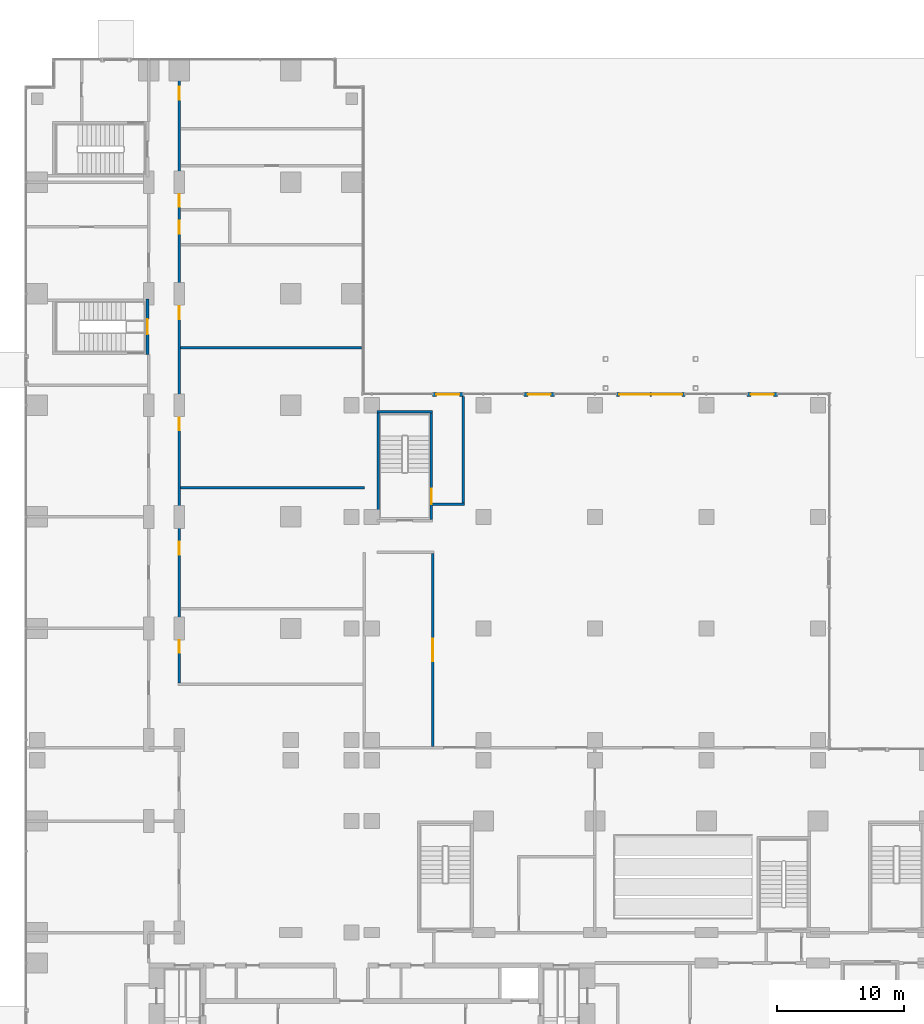
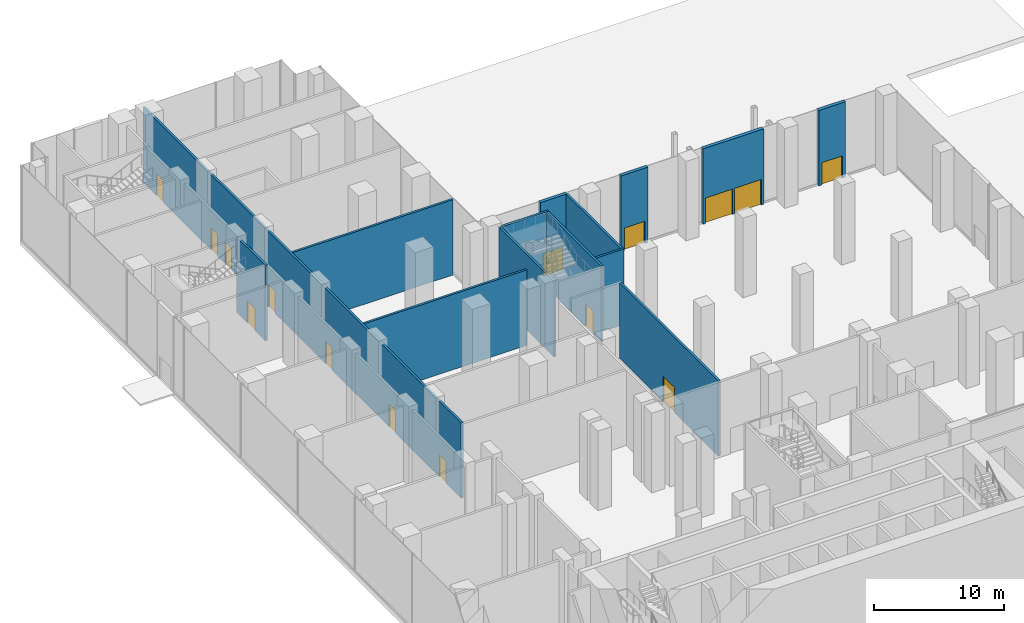
# One storey, part 27 of 41: 15 doors, 14 walls, 15 openings.
"""IFC4 building model written with IfcOpenShell, lengths in metres."""

import ifcopenshell
import ifcopenshell.guid

model = None  # the IFC model being written
_history = None  # IfcOwnerHistory: only IFC2X3 demands one
_inside = {}  # id of a spatial element -> (the spatial element, [elements in it])
_under = {}  # id of a project, library or spatial element -> (it, [spatial elements below it])
_declared = {}  # id of a project -> (the project, [libraries it declares])
_typed = {}  # id of a type object -> (the type object, [elements of that type])
_made_of = {}  # id of a material, layer set ... -> (it, [elements and type objects made of it])


def new_model(schema):
    """Start an empty IFC model of exactly this schema.

    Asked for "IFC4X3", IfcOpenShell would pick the latest addendum, in which some entities
    have other attributes; the version numbers below select the first issue.
    IFC2X3 requires an IfcOwnerHistory on every rooted entity: one is made here for all.
    """
    global model, _history
    if schema == "IFC4X3":
        model = ifcopenshell.file(schema_version=(4, 3, 0, 0))
    else:
        model = ifcopenshell.file(schema=schema)
    _inside.clear()
    _under.clear()
    _declared.clear()
    _typed.clear()
    _made_of.clear()
    _history = None
    if model.schema == "IFC2X3":
        org = make("IfcOrganization", Name="unknown")
        user = make(
            "IfcPersonAndOrganization",
            ThePerson=make("IfcPerson", FamilyName="unknown"),
            TheOrganization=org,
        )
        app = make(
            "IfcApplication",
            ApplicationDeveloper=org,
            Version="unknown",
            ApplicationFullName="unknown",
            ApplicationIdentifier="unknown",
        )
        _history = make(
            "IfcOwnerHistory",
            OwningUser=user,
            OwningApplication=app,
            ChangeAction="ADDED",
            CreationDate=0,
        )
    return model


def make(cls, **values):
    """One entity of the class cls with the attributes given. An attribute that is None is left unset."""
    return model.create_entity(
        cls, **{name: value for name, value in values.items() if value is not None}
    )


def rooted(cls, **values):
    """An entity with a GlobalId (a new one), such as an element, a storey or a relation."""
    return make(cls, GlobalId=ifcopenshell.guid.new(), OwnerHistory=_history, **values)


def si_unit(unit_type, name, prefix=None):
    """IfcSIUnit, for example si_unit("LENGTHUNIT", "METRE", prefix="MILLI")."""
    return make("IfcSIUnit", UnitType=unit_type, Prefix=prefix, Name=name)


def assignment(units):
    """IfcUnitAssignment: the units of a project."""
    return None if units is None else make("IfcUnitAssignment", Units=units)


def point(xyz):
    """IfcCartesianPoint."""
    return None if xyz is None else make("IfcCartesianPoint", Coordinates=xyz)


def direction(xyz):
    """IfcDirection."""
    return None if xyz is None else make("IfcDirection", DirectionRatios=xyz)


def frame(location, z_axis=None, x_axis=None):
    """IfcAxis2Placement3D, a coordinate frame: its origin and axes. An axis left out is left unset."""
    return make(
        "IfcAxis2Placement3D",
        Location=point(location),
        Axis=direction(z_axis),
        RefDirection=direction(x_axis),
    )


def frame_2d(location, x_axis=None):
    """IfcAxis2Placement2D, a coordinate frame in the plane: its origin and x axis."""
    return make(
        "IfcAxis2Placement2D", Location=point(location), RefDirection=direction(x_axis)
    )


def origin():
    """The frame at (0, 0, 0) with its axes left unset."""
    return frame((0.0, 0.0, 0.0))


def place(relative_to, where):
    """IfcLocalPlacement: puts the frame where relative to a parent placement (None: the world)."""
    return make(
        "IfcLocalPlacement", PlacementRelTo=relative_to, RelativePlacement=where
    )


def context(
    kind, dimensions, precision=None, world=None, true_north=None, identifier=None
):
    """IfcGeometricRepresentationContext, for example the 3D "Model" context."""
    return make(
        "IfcGeometricRepresentationContext",
        ContextIdentifier=identifier,
        ContextType=kind,
        CoordinateSpaceDimension=dimensions,
        Precision=precision,
        WorldCoordinateSystem=world,
        TrueNorth=true_north,
    )


def subcontext(parent, identifier, kind, view, scale=None):
    """IfcGeometricRepresentationSubContext, for example "Body" below "Model"."""
    return make(
        "IfcGeometricRepresentationSubContext",
        ContextIdentifier=identifier,
        ContextType=kind,
        ParentContext=parent,
        TargetScale=scale,
        TargetView=view,
    )


def project(units=None, contexts=None):
    """IfcProject with its units and contexts."""
    return rooted(
        "IfcProject",
        Name="project",
        RepresentationContexts=contexts,
        UnitsInContext=assignment(units),
    )


def spatial(cls, under=None, at=None, **own):
    """A site, building, storey or space (cls), placed at a placement, below another one or the project."""
    s = rooted(cls, ObjectPlacement=at, **own)
    if under is not None:
        _under.setdefault(under.id(), (under, []))[1].append(s)
    return s


def profile(cls, at=None, kind="AREA", **sizes):
    """A parametric profile (cls). Its sizes go by their IFC names, for example OverallWidth=200.0."""
    return make(cls, ProfileType=kind, Position=at, **sizes)


def rectangle(**sizes):
    """IfcRectangleProfileDef."""
    return profile("IfcRectangleProfileDef", **sizes)


def extrude(swept, where, along, depth):
    """IfcExtrudedAreaSolid: the profile swept, set in the frame where, extruded along a direction by depth."""
    return make(
        "IfcExtrudedAreaSolid",
        SweptArea=swept,
        Position=where,
        ExtrudedDirection=direction(along),
        Depth=depth,
    )


def shape(context_of_items, identifier, shape_type, items):
    """IfcShapeRepresentation: the items that make up one representation, for example the "Body"."""
    return make(
        "IfcShapeRepresentation",
        ContextOfItems=context_of_items,
        RepresentationIdentifier=identifier,
        RepresentationType=shape_type,
        Items=items,
    )


def material(Name=None, Category=None):
    """IfcMaterial."""
    return make("IfcMaterial", Name=Name, Category=Category)


def layer(
    of_material, thickness, ventilated=None, Name=None, Category=None, Priority=None
):
    """IfcMaterialLayer: one layer of a wall or slab, of a material (None: an air gap)."""
    return make(
        "IfcMaterialLayer",
        Material=of_material,
        LayerThickness=thickness,
        IsVentilated=ventilated,
        Name=Name,
        Category=Category,
        Priority=Priority,
    )


def layer_set(layers, Name=None):
    """IfcMaterialLayerSet."""
    return make("IfcMaterialLayerSet", MaterialLayers=layers, LayerSetName=Name)


def made_of(thing, what):
    """Note that an element or type object is made of a material, layer set ...; save() writes the relation."""
    if what is not None:
        _made_of.setdefault(what.id(), (what, []))[1].append(thing)
    return thing


def type_object(cls, material=None, **own):
    """A type object (cls), such as IfcWallType, which elements share."""
    return made_of(rooted(cls, **own), material)


def element(
    cls,
    number,
    at=None,
    inside=None,
    cuts=None,
    type_object=None,
    material=None,
    context=None,
    identifier="Body",
    shape_type=None,
    held_by="IfcProductDefinitionShape",
    body=None,
    shapes=None,
    **own,
):
    """One element of the class cls, such as IfcWall. Its Tag is "e" and its number.

    at: its placement. inside: the storey or other place that contains it. cuts: it is an
    opening in that element (IfcRelVoidsElement). A single representation is given by context,
    identifier, shape_type and body (its items); several are given by shapes. held_by: the class
    of the entity that holds the representations. save() writes the other relations.
    """
    e = rooted(cls, Tag="e%d" % number, ObjectPlacement=at, **own)
    if body is not None:
        shapes = [shape(context, identifier, shape_type, body)]
    if shapes is not None:
        e.Representation = make(held_by, Representations=shapes)
    if inside is not None:
        _inside.setdefault(inside.id(), (inside, []))[1].append(e)
    if cuts is not None:
        rooted(
            "IfcRelVoidsElement", RelatingBuildingElement=cuts, RelatedOpeningElement=e
        )
    if type_object is not None:
        _typed.setdefault(type_object.id(), (type_object, []))[1].append(e)
    return made_of(e, material)


def fill(opening, filler):
    """IfcRelFillsElement: the door or window that sits in an opening."""
    return rooted(
        "IfcRelFillsElement",
        RelatingOpeningElement=opening,
        RelatedBuildingElement=filler,
    )


def aggregate(whole, parts):
    """IfcRelAggregates: a whole, such as a stair, and the parts it consists of."""
    return rooted("IfcRelAggregates", RelatingObject=whole, RelatedObjects=parts)


def save(model, path):
    """Write the relations noted so far, then the file.

    IfcRelAggregates (storeys below a building ...), IfcRelContainedInSpatialStructure (elements
    in a storey), IfcRelDefinesByType, IfcRelAssociatesMaterial and IfcRelDeclares: one each for
    every whole, place, type object, material and project.
    """
    for whole, parts in _under.values():
        aggregate(whole, parts)
    for where, things in _inside.values():
        rooted(
            "IfcRelContainedInSpatialStructure",
            RelatedElements=things,
            RelatingStructure=where,
        )
    for kind, things in _typed.values():
        rooted("IfcRelDefinesByType", RelatedObjects=things, RelatingType=kind)
    for what, things in _made_of.values():
        rooted("IfcRelAssociatesMaterial", RelatedObjects=things, RelatingMaterial=what)
    for by, libraries in _declared.values():
        rooted("IfcRelDeclares", RelatingContext=by, RelatedDefinitions=libraries)
    model.write(path)


model = new_model("IFC4")

# Units and contexts
model_context = context("Model", 3, precision=1e-05, world=origin(), true_north=direction((0.0, 1.0)))
body_context = subcontext(model_context, "Body", "Model", "MODEL_VIEW")
ifc_project = project(units=[si_unit("LENGTHUNIT", "METRE"), si_unit("AREAUNIT", "SQUARE_METRE"), si_unit("VOLUMEUNIT", "CUBIC_METRE"), si_unit("PLANEANGLEUNIT", "RADIAN"), si_unit("MASSUNIT", "GRAM", prefix="KILO")], contexts=[model_context])

# Site, building, storey
site_placement = place(None, origin())
site = spatial("IfcSite", under=ifc_project, at=site_placement, CompositionType="ELEMENT")
building_placement = place(site_placement, origin())
building = spatial("IfcBuilding", under=site, at=building_placement, Name="Kemantara Hotel Tower", CompositionType="ELEMENT")
storey_placement = place(building_placement, origin())
storey = spatial("IfcBuildingStorey", under=building, at=storey_placement, Name="L00", CompositionType="ELEMENT", Elevation=0.0)

# Wall, openings, doors
ifc_material_1 = material(Name="Bronze-clad aluminium panel", Category="aluminium")
ifc_layer_1 = layer(ifc_material_1, 0.300048828125)
ifc_layer_set_1 = layer_set([ifc_layer_1], Name="Bronze-clad aluminium panel")
wall_type_1 = type_object("IfcWallType", Name="BRONZE-CLAD EXTERNAL WALL 300", PredefinedType="STANDARD", material=ifc_layer_set_1)
wall_1_placement = place(storey_placement, frame((46.699951171875, 54.64990234375, 0.0), z_axis=(0.0, 0.0, 1.0), x_axis=(1.0, 0.0, 0.0)))
wall_1 = element("IfcWall", 1, at=wall_1_placement, inside=storey, type_object=wall_type_1, Name="EXTERNAL WALL AT ENTRANCE", PredefinedType="STANDARD", context=body_context, shape_type="SweptSolid", body=[
    extrude(rectangle(XDim=5.400146484375, YDim=0.300048828125, at=frame_2d((2.7001953125, 0.0))), origin(), (0.0, 0.0, 1.0), 7.10009765625),
])
opening_1_placement = place(wall_1_placement, frame((0.22509765625, 0.0, 0.0)))
opening_1 = element("IfcOpeningElement", 2, at=opening_1_placement, cuts=wall_1, Name="Opening L00-B031", PredefinedType="OPENING", context=body_context, shape_type="SweptSolid", body=[
    extrude(rectangle(XDim=2.39990234375, YDim=2.39990234375, at=frame_2d((1.199951171875, 1.199951171875))), frame((0.0, 0.159912109375, 0.0), z_axis=(0.0, -1.0, 0.0), x_axis=(1.0, 0.0, 0.0)), (0.0, 0.0, 1.0), 0.320068359375),
])
opening_2_placement = place(wall_1_placement, frame((2.77490234375, 0.0, 0.0)))
opening_2 = element("IfcOpeningElement", 3, at=opening_2_placement, cuts=wall_1, Name="Opening L00-B032", PredefinedType="OPENING", context=body_context, shape_type="SweptSolid", body=[
    extrude(rectangle(XDim=2.39990234375, YDim=2.39990234375, at=frame_2d((1.199951171875, 1.199951171875))), frame((0.0, 0.159912109375, 0.0), z_axis=(0.0, -1.0, 0.0), x_axis=(1.0, 0.0, 0.0)), (0.0, 0.0, 1.0), 0.320068359375),
])
ifc_material_2 = material(Name="Toughened glass door leaf", Category="glass")
door_type_1 = type_object("IfcDoorType", Name="AUTOMATIC SLIDING GLASS DOOR 2400 X 2400", OperationType="DOUBLE_DOOR_SLIDING", PredefinedType="DOOR", material=ifc_material_2)
door_1_placement = place(opening_1_placement, origin())
door_1 = element("IfcDoor", 4, at=door_1_placement, inside=storey, type_object=door_type_1, Name="ENTRANCE DOOR", OperationType="DOUBLE_DOOR_SLIDING", OverallHeight=2.39990234375, OverallWidth=2.39990234375, PredefinedType="DOOR", context=body_context, shape_type="SweptSolid", body=[
    extrude(rectangle(XDim=2.39990234375, YDim=2.39990234375, at=frame_2d((1.199951171875, 1.199951171875))), frame((0.0, 0.02490234375, 0.0), z_axis=(0.0, -1.0, 0.0), x_axis=(1.0, 0.0, 0.0)), (0.0, 0.0, 1.0), 0.050048828125),
])
fill(opening_1, door_1)
door_2_placement = place(opening_2_placement, origin())
door_2 = element("IfcDoor", 5, at=door_2_placement, inside=storey, type_object=door_type_1, Name="ENTRANCE DOOR", OperationType="DOUBLE_DOOR_SLIDING", OverallHeight=2.39990234375, OverallWidth=2.39990234375, PredefinedType="DOOR", context=body_context, shape_type="SweptSolid", body=[
    extrude(rectangle(XDim=2.39990234375, YDim=2.39990234375, at=frame_2d((1.199951171875, 1.199951171875))), frame((0.0, 0.02490234375, 0.0), z_axis=(0.0, -1.0, 0.0), x_axis=(1.0, 0.0, 0.0)), (0.0, 0.0, 1.0), 0.050048828125),
])
fill(opening_2, door_2)

# Wall, opening, door
wall_2_placement = place(storey_placement, frame((32.199951171875, 54.64990234375, 0.0), z_axis=(0.0, 0.0, 1.0), x_axis=(1.0, 0.0, 0.0)))
wall_2 = element("IfcWall", 6, at=wall_2_placement, inside=storey, type_object=wall_type_1, Name="EXTERNAL WALL AT ENTRANCE", PredefinedType="STANDARD", context=body_context, shape_type="SweptSolid", body=[
    extrude(rectangle(XDim=2.400146484375, YDim=0.300048828125, at=frame_2d((1.2001953125, 0.0))), origin(), (0.0, 0.0, 1.0), 7.10009765625),
])
opening_3_placement = place(wall_2_placement, frame((0.300048828125, 0.0, 0.0)))
opening_3 = element("IfcOpeningElement", 7, at=opening_3_placement, cuts=wall_2, Name="Opening L00-B044", PredefinedType="OPENING", context=body_context, shape_type="SweptSolid", body=[
    extrude(rectangle(XDim=1.800048828125, YDim=2.10009765625, at=frame_2d((0.89990234375, 1.050048828125))), frame((0.0, 0.159912109375, 0.0), z_axis=(0.0, -1.0, 0.0), x_axis=(1.0, 0.0, 0.0)), (0.0, 0.0, 1.0), 0.320068359375),
])
ifc_material_3 = material(Name="Galvanised steel door leaf", Category="steel")
door_type_2 = type_object("IfcDoorType", Name="FIRE-RATED STEEL DOOR DOUBLE LEAF 1800 X 2100", OperationType="DOUBLE_DOOR_SINGLE_SWING", PredefinedType="DOOR", material=ifc_material_3)
door_3_placement = place(opening_3_placement, origin())
door_3 = element("IfcDoor", 8, at=door_3_placement, inside=storey, type_object=door_type_2, Name="ENTRANCE DOOR", OperationType="DOUBLE_DOOR_SINGLE_SWING", OverallHeight=2.10009765625, OverallWidth=1.800048828125, PredefinedType="DOOR", context=body_context, shape_type="SweptSolid", body=[
    extrude(rectangle(XDim=1.800048828125, YDim=2.10009765625, at=frame_2d((0.89990234375, 1.050048828125))), frame((0.0, 0.02490234375, 0.0), z_axis=(0.0, -1.0, 0.0), x_axis=(1.0, 0.0, 0.0)), (0.0, 0.0, 1.0), 0.050048828125),
])
fill(opening_3, door_3)

wall_3_placement = place(storey_placement, frame((39.39990234375, 54.64990234375, 0.0), z_axis=(0.0, 0.0, 1.0), x_axis=(1.0, 0.0, 0.0)))
wall_3 = element("IfcWall", 9, at=wall_3_placement, inside=storey, type_object=wall_type_1, Name="EXTERNAL WALL AT ENTRANCE", PredefinedType="STANDARD", context=body_context, shape_type="SweptSolid", body=[
    extrude(rectangle(XDim=2.400146484375, YDim=0.300048828125, at=frame_2d((1.2001953125, 0.0))), origin(), (0.0, 0.0, 1.0), 7.10009765625),
])
opening_4_placement = place(wall_3_placement, frame((0.300048828125, 0.0, 0.0)))
opening_4 = element("IfcOpeningElement", 10, at=opening_4_placement, cuts=wall_3, Name="Opening L00-B047", PredefinedType="OPENING", context=body_context, shape_type="SweptSolid", body=[
    extrude(rectangle(XDim=1.800048828125, YDim=2.10009765625, at=frame_2d((0.89990234375, 1.050048828125))), frame((0.0, 0.159912109375, 0.0), z_axis=(0.0, -1.0, 0.0), x_axis=(1.0, 0.0, 0.0)), (0.0, 0.0, 1.0), 0.320068359375),
])
door_4_placement = place(opening_4_placement, origin())
door_4 = element("IfcDoor", 11, at=door_4_placement, inside=storey, type_object=door_type_2, Name="ENTRANCE DOOR", OperationType="DOUBLE_DOOR_SINGLE_SWING", OverallHeight=2.10009765625, OverallWidth=1.800048828125, PredefinedType="DOOR", context=body_context, shape_type="SweptSolid", body=[
    extrude(rectangle(XDim=1.800048828125, YDim=2.10009765625, at=frame_2d((0.89990234375, 1.050048828125))), frame((0.0, 0.02490234375, 0.0), z_axis=(0.0, -1.0, 0.0), x_axis=(1.0, 0.0, 0.0)), (0.0, 0.0, 1.0), 0.050048828125),
])
fill(opening_4, door_4)

wall_4_placement = place(storey_placement, frame((57.0, 54.64990234375, 0.0), z_axis=(0.0, 0.0, 1.0), x_axis=(1.0, 0.0, 0.0)))
wall_4 = element("IfcWall", 12, at=wall_4_placement, inside=storey, type_object=wall_type_1, Name="EXTERNAL WALL AT ENTRANCE", PredefinedType="STANDARD", context=body_context, shape_type="SweptSolid", body=[
    extrude(rectangle(XDim=2.39990234375, YDim=0.300048828125, at=frame_2d((1.199951171875, 0.0))), origin(), (0.0, 0.0, 1.0), 7.10009765625),
])
opening_5_placement = place(wall_4_placement, frame((0.300048828125, 0.0, 0.0)))
opening_5 = element("IfcOpeningElement", 13, at=opening_5_placement, cuts=wall_4, Name="Opening L00-B048", PredefinedType="OPENING", context=body_context, shape_type="SweptSolid", body=[
    extrude(rectangle(XDim=1.800048828125, YDim=2.10009765625, at=frame_2d((0.89990234375, 1.050048828125))), frame((0.0, 0.159912109375, 0.0), z_axis=(0.0, -1.0, 0.0), x_axis=(1.0, 0.0, 0.0)), (0.0, 0.0, 1.0), 0.320068359375),
])
door_5_placement = place(opening_5_placement, origin())
door_5 = element("IfcDoor", 14, at=door_5_placement, inside=storey, type_object=door_type_2, Name="ENTRANCE DOOR", OperationType="DOUBLE_DOOR_SINGLE_SWING", OverallHeight=2.10009765625, OverallWidth=1.800048828125, PredefinedType="DOOR", context=body_context, shape_type="SweptSolid", body=[
    extrude(rectangle(XDim=1.800048828125, YDim=2.10009765625, at=frame_2d((0.89990234375, 1.050048828125))), frame((0.0, 0.02490234375, 0.0), z_axis=(0.0, -1.0, 0.0), x_axis=(1.0, 0.0, 0.0)), (0.0, 0.0, 1.0), 0.050048828125),
])
fill(opening_5, door_5)

ifc_material_4 = material(Name="Concrete fc 40 MPa", Category="concrete")
ifc_layer_2 = layer(ifc_material_4, 0.199951171875)
ifc_layer_set_2 = layer_set([ifc_layer_2], Name="Concrete fc 40 MPa")
wall_type_2 = type_object("IfcWallType", Name="Concrete stair wall 200 mm", PredefinedType="SHEAR", material=ifc_layer_set_2)
wall_5_placement = place(storey_placement, frame((9.699951171875, 57.800048828125, 0.0), z_axis=(0.0, 0.0, 1.0), x_axis=(0.0, 1.0, 0.0)))
wall_5 = element("IfcWall", 15, at=wall_5_placement, inside=storey, type_object=wall_type_2, Name="Stair ST4 enclosure wall with door", PredefinedType="SHEAR", context=body_context, shape_type="SweptSolid", body=[
    extrude(rectangle(XDim=4.39990234375, YDim=0.199951171875, at=frame_2d((2.199951171875, 0.0))), origin(), (0.0, 0.0, 1.0), 7.10009765625),
])
opening_6_placement = place(wall_5_placement, frame((1.60009765625, 0.0, 0.0)))
opening_6 = element("IfcOpeningElement", 16, at=opening_6_placement, cuts=wall_5, Name="Opening ST4-C", PredefinedType="OPENING", context=body_context, shape_type="SweptSolid", body=[
    extrude(rectangle(XDim=1.199951171875, YDim=2.10009765625, at=frame_2d((0.60009765625, 1.050048828125))), frame((0.0, 0.10986328125, 0.0), z_axis=(0.0, -1.0, 0.0), x_axis=(1.0, 0.0, 0.0)), (0.0, 0.0, 1.0), 0.219970703125),
])
ifc_material_5 = material(Name="Steel fire door", Category="steel")
door_type_3 = type_object("IfcDoorType", Name="Fire door FD90 1200 x 2100", OperationType="NOTDEFINED", PredefinedType="DOOR", material=ifc_material_5)
door_6_placement = place(opening_6_placement, frame((1.199951171875, 0.0, 0.0), z_axis=(0.0, 0.0, 1.0), x_axis=(-1.0, 0.0, 0.0)))
door_6 = element("IfcDoor", 17, at=door_6_placement, inside=storey, type_object=door_type_3, Name="Stair ST4 door", OperationType="SINGLE_SWING_LEFT", OverallHeight=2.10009765625, OverallWidth=1.199951171875, PredefinedType="DOOR", context=body_context, shape_type="SweptSolid", body=[
    extrude(rectangle(XDim=1.199951171875, YDim=2.10009765625, at=frame_2d((0.60009765625, 1.050048828125))), frame((0.0, 0.02490234375, 0.0), z_axis=(0.0, -1.0, 0.0), x_axis=(1.0, 0.0, 0.0)), (0.0, 0.0, 1.0), 0.050048828125),
])
fill(opening_6, door_6)

# Walls
wall_6_placement = place(storey_placement, frame((27.800048828125, 53.300048828125, 0.0), z_axis=(0.0, 0.0, 1.0), x_axis=(1.0, 0.0, 0.0)))
element("IfcWall", 18, at=wall_6_placement, inside=storey, type_object=wall_type_2, Name="Stair PS2 enclosure wall N", PredefinedType="SHEAR", context=body_context, shape_type="SweptSolid", body=[
    extrude(rectangle(XDim=4.39990234375, YDim=0.199951171875, at=frame_2d((2.199951171875, 0.0))), origin(), (0.0, 0.0, 1.0), 7.10009765625),
])
wall_7_placement = place(storey_placement, frame((27.89990234375, 44.800048828125, 0.0), z_axis=(0.0, 0.0, 1.0), x_axis=(0.0, 1.0, 0.0)))
element("IfcWall", 19, at=wall_7_placement, inside=storey, type_object=wall_type_2, Name="Stair PS2 enclosure wall W", PredefinedType="SHEAR", context=body_context, shape_type="SweptSolid", body=[
    extrude(rectangle(XDim=8.39990234375, YDim=0.199951171875, at=frame_2d((4.199951171875, 0.0))), origin(), (0.0, 0.0, 1.0), 7.10009765625),
])

# Wall, opening, door
wall_8_placement = place(storey_placement, frame((32.10009765625, 44.800048828125, 0.0), z_axis=(0.0, 0.0, 1.0), x_axis=(0.0, 1.0, 0.0)))
wall_8 = element("IfcWall", 20, at=wall_8_placement, inside=storey, type_object=wall_type_2, Name="Stair PS2 enclosure wall E", PredefinedType="SHEAR", context=body_context, shape_type="SweptSolid", body=[
    extrude(rectangle(XDim=8.39990234375, YDim=0.199951171875, at=frame_2d((4.199951171875, 0.0))), origin(), (0.0, 0.0, 1.0), 7.10009765625),
])
opening_7_placement = place(wall_8_placement, frame((1.199951171875, 0.0, 0.0)))
opening_7 = element("IfcOpeningElement", 21, at=opening_7_placement, cuts=wall_8, Name="Opening PS2-X", PredefinedType="OPENING", context=body_context, shape_type="SweptSolid", body=[
    extrude(rectangle(XDim=1.199951171875, YDim=2.10009765625, at=frame_2d((0.60009765625, 1.050048828125))), frame((0.0, 0.10986328125, 0.0), z_axis=(0.0, -1.0, 0.0), x_axis=(1.0, 0.0, 0.0)), (0.0, 0.0, 1.0), 0.219970703125),
])
door_7_placement = place(opening_7_placement, frame((1.199951171875, 0.0, 0.0), z_axis=(0.0, 0.0, 1.0), x_axis=(-1.0, 0.0, 0.0)))
door_7 = element("IfcDoor", 22, at=door_7_placement, inside=storey, type_object=door_type_3, Name="Stair PS2 exit door to its exit passage", OperationType="SINGLE_SWING_RIGHT", OverallHeight=2.10009765625, OverallWidth=1.199951171875, PredefinedType="DOOR", context=body_context, shape_type="SweptSolid", body=[
    extrude(rectangle(XDim=1.199951171875, YDim=2.10009765625, at=frame_2d((0.60009765625, 1.050048828125))), frame((0.0, 0.02490234375, 0.0), z_axis=(0.0, -1.0, 0.0), x_axis=(1.0, 0.0, 0.0)), (0.0, 0.0, 1.0), 0.050048828125),
])
fill(opening_7, door_7)

# Walls
ifc_material_6 = material(Name="Fire-rated gypsum board partition")
ifc_layer_3 = layer(ifc_material_6, 0.199951171875)
ifc_layer_set_3 = layer_set([ifc_layer_3], Name="Fire-rated gypsum board partition")
wall_type_3 = type_object("IfcWallType", Name="FIRE-RATED GYPSUM PARTITION 200 EI 60", PredefinedType="PARTITIONING", material=ifc_layer_set_3)
wall_9_placement = place(storey_placement, frame((32.199951171875, 46.0, 0.0), z_axis=(0.0, 0.0, 1.0), x_axis=(1.0, 0.0, 0.0)))
element("IfcWall", 23, at=wall_9_placement, inside=storey, type_object=wall_type_3, Name="FIRE-RATED PARTITION", PredefinedType="PARTITIONING", context=body_context, shape_type="SweptSolid", body=[
    extrude(rectangle(XDim=2.5, YDim=0.199951171875, at=frame_2d((1.25, 0.0))), origin(), (0.0, 0.0, 1.0), 7.10009765625),
])
wall_10_placement = place(storey_placement, frame((34.60009765625, 46.10009765625, 0.0), z_axis=(0.0, 0.0, 1.0), x_axis=(0.0, 1.0, 0.0)))
element("IfcWall", 24, at=wall_10_placement, inside=storey, type_object=wall_type_3, Name="FIRE-RATED PARTITION", PredefinedType="PARTITIONING", context=body_context, shape_type="SweptSolid", body=[
    extrude(rectangle(XDim=8.39990234375, YDim=0.199951171875, at=frame_2d((4.199951171875, 0.0))), origin(), (0.0, 0.0, 1.0), 7.10009765625),
])

# Wall, openings, doors
wall_11_placement = place(storey_placement, frame((12.199951171875, 31.89990234375, 0.0), z_axis=(0.0, 0.0, 1.0), x_axis=(0.0, 1.0, 0.0)))
wall_11 = element("IfcWall", 25, at=wall_11_placement, inside=storey, type_object=wall_type_3, Name="FIRE-RATED PARTITION", PredefinedType="PARTITIONING", context=body_context, shape_type="SweptSolid", body=[
    extrude(rectangle(XDim=49.10009765625, YDim=0.199951171875, at=frame_2d((24.550048828125, 0.0))), origin(), (0.0, 0.0, 1.0), 7.10009765625),
])
opening_8_placement = place(wall_11_placement, frame((2.375, 0.0, 0.0)))
opening_8 = element("IfcOpeningElement", 26, at=opening_8_placement, cuts=wall_11, Name="Opening L00-B014", PredefinedType="OPENING", context=body_context, shape_type="SweptSolid", body=[
    extrude(rectangle(XDim=1.0, YDim=2.10009765625, at=frame_2d((0.5, 1.050048828125))), frame((0.0, 0.10986328125, 0.0), z_axis=(0.0, -1.0, 0.0), x_axis=(1.0, 0.0, 0.0)), (0.0, 0.0, 1.0), 0.219970703125),
])
opening_9_placement = place(wall_11_placement, frame((10.125, 0.0, 0.0)))
opening_9 = element("IfcOpeningElement", 27, at=opening_9_placement, cuts=wall_11, Name="Opening L00-B015", PredefinedType="OPENING", context=body_context, shape_type="SweptSolid", body=[
    extrude(rectangle(XDim=1.0, YDim=2.10009765625, at=frame_2d((0.5, 1.050048828125))), frame((0.0, 0.10986328125, 0.0), z_axis=(0.0, -1.0, 0.0), x_axis=(1.0, 0.0, 0.0)), (0.0, 0.0, 1.0), 0.219970703125),
])
opening_10_placement = place(wall_11_placement, frame((19.919921875, 0.0, 0.0)))
opening_10 = element("IfcOpeningElement", 28, at=opening_10_placement, cuts=wall_11, Name="Opening L00-B016", PredefinedType="OPENING", context=body_context, shape_type="SweptSolid", body=[
    extrude(rectangle(XDim=1.0, YDim=2.10009765625, at=frame_2d((0.5, 1.050048828125))), frame((0.0, 0.10986328125, 0.0), z_axis=(0.0, -1.0, 0.0), x_axis=(1.0, 0.0, 0.0)), (0.0, 0.0, 1.0), 0.219970703125),
])
opening_11_placement = place(wall_11_placement, frame((28.705078125, 0.0, 0.0)))
opening_11 = element("IfcOpeningElement", 29, at=opening_11_placement, cuts=wall_11, Name="Opening L00-B017", PredefinedType="OPENING", context=body_context, shape_type="SweptSolid", body=[
    extrude(rectangle(XDim=1.0, YDim=2.10009765625, at=frame_2d((0.5, 1.050048828125))), frame((0.0, 0.10986328125, 0.0), z_axis=(0.0, -1.0, 0.0), x_axis=(1.0, 0.0, 0.0)), (0.0, 0.0, 1.0), 0.219970703125),
])
opening_12_placement = place(wall_11_placement, frame((35.444091796875, 0.0, 0.0)))
opening_12 = element("IfcOpeningElement", 30, at=opening_12_placement, cuts=wall_11, Name="Opening L00-B018", PredefinedType="OPENING", context=body_context, shape_type="SweptSolid", body=[
    extrude(rectangle(XDim=1.0, YDim=2.10009765625, at=frame_2d((0.5, 1.050048828125))), frame((0.0, 0.10986328125, 0.0), z_axis=(0.0, -1.0, 0.0), x_axis=(1.0, 0.0, 0.0)), (0.0, 0.0, 1.0), 0.219970703125),
])
opening_13_placement = place(wall_11_placement, frame((37.558349609375, 0.0, 0.0)))
opening_13 = element("IfcOpeningElement", 31, at=opening_13_placement, cuts=wall_11, Name="Opening L00-B019", PredefinedType="OPENING", context=body_context, shape_type="SweptSolid", body=[
    extrude(rectangle(XDim=1.0, YDim=2.10009765625, at=frame_2d((0.5, 1.050048828125))), frame((0.0, 0.10986328125, 0.0), z_axis=(0.0, -1.0, 0.0), x_axis=(1.0, 0.0, 0.0)), (0.0, 0.0, 1.0), 0.219970703125),
])
opening_14_placement = place(wall_11_placement, frame((46.014892578125, 0.0, 0.0)))
opening_14 = element("IfcOpeningElement", 32, at=opening_14_placement, cuts=wall_11, Name="Opening L00-B020", PredefinedType="OPENING", context=body_context, shape_type="SweptSolid", body=[
    extrude(rectangle(XDim=1.0, YDim=2.10009765625, at=frame_2d((0.5, 1.050048828125))), frame((0.0, 0.10986328125, 0.0), z_axis=(0.0, -1.0, 0.0), x_axis=(1.0, 0.0, 0.0)), (0.0, 0.0, 1.0), 0.219970703125),
])
ifc_material_7 = material(Name="Timber veneer door leaf", Category="wood")
door_type_4 = type_object("IfcDoorType", Name="SINGLE LEAF TIMBER DOOR 1000 X 2100", OperationType="SINGLE_SWING_LEFT", PredefinedType="DOOR", material=ifc_material_7)
door_8_placement = place(opening_8_placement, frame((1.0, 0.0, 0.0), z_axis=(0.0, 0.0, 1.0), x_axis=(-1.0, 0.0, 0.0)))
door_8 = element("IfcDoor", 33, at=door_8_placement, inside=storey, type_object=door_type_4, Name="SINGLE LEAF TIMBER DOOR", OperationType="SINGLE_SWING_RIGHT", OverallHeight=2.10009765625, OverallWidth=1.0, PredefinedType="DOOR", context=body_context, shape_type="SweptSolid", body=[
    extrude(rectangle(XDim=1.0, YDim=2.10009765625, at=frame_2d((0.5, 1.050048828125))), frame((0.0, 0.02490234375, 0.0), z_axis=(0.0, -1.0, 0.0), x_axis=(1.0, 0.0, 0.0)), (0.0, 0.0, 1.0), 0.050048828125),
])
fill(opening_8, door_8)
door_9_placement = place(opening_9_placement, frame((1.0, 0.0, 0.0), z_axis=(0.0, 0.0, 1.0), x_axis=(-1.0, 0.0, 0.0)))
door_9 = element("IfcDoor", 34, at=door_9_placement, inside=storey, type_object=door_type_4, Name="SINGLE LEAF TIMBER DOOR", OperationType="SINGLE_SWING_RIGHT", OverallHeight=2.10009765625, OverallWidth=1.0, PredefinedType="DOOR", context=body_context, shape_type="SweptSolid", body=[
    extrude(rectangle(XDim=1.0, YDim=2.10009765625, at=frame_2d((0.5, 1.050048828125))), frame((0.0, 0.02490234375, 0.0), z_axis=(0.0, -1.0, 0.0), x_axis=(1.0, 0.0, 0.0)), (0.0, 0.0, 1.0), 0.050048828125),
])
fill(opening_9, door_9)
door_10_placement = place(opening_10_placement, frame((1.0, 0.0, 0.0), z_axis=(0.0, 0.0, 1.0), x_axis=(-1.0, 0.0, 0.0)))
door_10 = element("IfcDoor", 35, at=door_10_placement, inside=storey, type_object=door_type_4, Name="SINGLE LEAF TIMBER DOOR", OperationType="SINGLE_SWING_RIGHT", OverallHeight=2.10009765625, OverallWidth=1.0, PredefinedType="DOOR", context=body_context, shape_type="SweptSolid", body=[
    extrude(rectangle(XDim=1.0, YDim=2.10009765625, at=frame_2d((0.5, 1.050048828125))), frame((0.0, 0.02490234375, 0.0), z_axis=(0.0, -1.0, 0.0), x_axis=(1.0, 0.0, 0.0)), (0.0, 0.0, 1.0), 0.050048828125),
])
fill(opening_10, door_10)
door_11_placement = place(opening_11_placement, frame((1.0, 0.0, 0.0), z_axis=(0.0, 0.0, 1.0), x_axis=(-1.0, 0.0, 0.0)))
door_11 = element("IfcDoor", 36, at=door_11_placement, inside=storey, type_object=door_type_4, Name="SINGLE LEAF TIMBER DOOR", OperationType="SINGLE_SWING_LEFT", OverallHeight=2.10009765625, OverallWidth=1.0, PredefinedType="DOOR", context=body_context, shape_type="SweptSolid", body=[
    extrude(rectangle(XDim=1.0, YDim=2.10009765625, at=frame_2d((0.5, 1.050048828125))), frame((0.0, 0.02490234375, 0.0), z_axis=(0.0, -1.0, 0.0), x_axis=(1.0, 0.0, 0.0)), (0.0, 0.0, 1.0), 0.050048828125),
])
fill(opening_11, door_11)
door_12_placement = place(opening_12_placement, frame((1.0, 0.0, 0.0), z_axis=(0.0, 0.0, 1.0), x_axis=(-1.0, 0.0, 0.0)))
door_12 = element("IfcDoor", 37, at=door_12_placement, inside=storey, type_object=door_type_4, Name="SINGLE LEAF TIMBER DOOR", OperationType="SINGLE_SWING_LEFT", OverallHeight=2.10009765625, OverallWidth=1.0, PredefinedType="DOOR", context=body_context, shape_type="SweptSolid", body=[
    extrude(rectangle(XDim=1.0, YDim=2.10009765625, at=frame_2d((0.5, 1.050048828125))), frame((0.0, 0.02490234375, 0.0), z_axis=(0.0, -1.0, 0.0), x_axis=(1.0, 0.0, 0.0)), (0.0, 0.0, 1.0), 0.050048828125),
])
fill(opening_12, door_12)
door_13_placement = place(opening_13_placement, frame((1.0, 0.0, 0.0), z_axis=(0.0, 0.0, 1.0), x_axis=(-1.0, 0.0, 0.0)))
door_13 = element("IfcDoor", 38, at=door_13_placement, inside=storey, type_object=door_type_4, Name="SINGLE LEAF TIMBER DOOR", OperationType="SINGLE_SWING_LEFT", OverallHeight=2.10009765625, OverallWidth=1.0, PredefinedType="DOOR", context=body_context, shape_type="SweptSolid", body=[
    extrude(rectangle(XDim=1.0, YDim=2.10009765625, at=frame_2d((0.5, 1.050048828125))), frame((0.0, 0.02490234375, 0.0), z_axis=(0.0, -1.0, 0.0), x_axis=(1.0, 0.0, 0.0)), (0.0, 0.0, 1.0), 0.050048828125),
])
fill(opening_13, door_13)
door_14_placement = place(opening_14_placement, frame((1.0, 0.0, 0.0), z_axis=(0.0, 0.0, 1.0), x_axis=(-1.0, 0.0, 0.0)))
door_14 = element("IfcDoor", 39, at=door_14_placement, inside=storey, type_object=door_type_4, Name="SINGLE LEAF TIMBER DOOR", OperationType="SINGLE_SWING_LEFT", OverallHeight=2.10009765625, OverallWidth=1.0, PredefinedType="DOOR", context=body_context, shape_type="SweptSolid", body=[
    extrude(rectangle(XDim=1.0, YDim=2.10009765625, at=frame_2d((0.5, 1.050048828125))), frame((0.0, 0.02490234375, 0.0), z_axis=(0.0, -1.0, 0.0), x_axis=(1.0, 0.0, 0.0)), (0.0, 0.0, 1.0), 0.050048828125),
])
fill(opening_14, door_14)

# Walls
ifc_material_8 = material(Name="Gypsum board partition")
ifc_layer_4 = layer(ifc_material_8, 0.199951171875)
ifc_layer_set_4 = layer_set([ifc_layer_4], Name="Gypsum board partition")
wall_type_4 = type_object("IfcWallType", Name="GYPSUM BOARD PARTITION 200", PredefinedType="PARTITIONING", material=ifc_layer_set_4)
wall_12_placement = place(storey_placement, frame((12.300048828125, 47.300048828125, 0.0), z_axis=(0.0, 0.0, 1.0), x_axis=(1.0, 0.0, 0.0)))
element("IfcWall", 40, at=wall_12_placement, inside=storey, type_object=wall_type_4, Name="PARTITION", PredefinedType="PARTITIONING", context=body_context, shape_type="SweptSolid", body=[
    extrude(rectangle(XDim=14.5, YDim=0.199951171875, at=frame_2d((7.25, 0.0))), origin(), (0.0, 0.0, 1.0), 7.10009765625),
])
wall_13_placement = place(storey_placement, frame((12.300048828125, 58.340087890625, 0.0), z_axis=(0.0, 0.0, 1.0), x_axis=(1.0, 0.0, 0.0)))
element("IfcWall", 41, at=wall_13_placement, inside=storey, type_object=wall_type_4, Name="PARTITION", PredefinedType="PARTITIONING", context=body_context, shape_type="SweptSolid", body=[
    extrude(rectangle(XDim=14.300048828125, YDim=0.199951171875, at=frame_2d((7.14990234375, 0.0))), origin(), (0.0, 0.0, 1.0), 7.10009765625),
])

# Wall, opening, door
wall_14_placement = place(storey_placement, frame((32.199951171875, 26.89990234375, 0.0), z_axis=(0.0, 0.0, 1.0), x_axis=(0.0, 1.0, 0.0)))
wall_14 = element("IfcWall", 42, at=wall_14_placement, inside=storey, type_object=wall_type_4, Name="PARTITION", PredefinedType="PARTITIONING", context=body_context, shape_type="SweptSolid", body=[
    extrude(rectangle(XDim=15.2001953125, YDim=0.199951171875, at=frame_2d((7.60009765625, 0.0))), origin(), (0.0, 0.0, 1.0), 7.10009765625),
])
opening_15_placement = place(wall_14_placement, frame((6.699951171875, 0.0, 0.0)))
opening_15 = element("IfcOpeningElement", 43, at=opening_15_placement, cuts=wall_14, Name="Opening L00-B024", PredefinedType="OPENING", context=body_context, shape_type="SweptSolid", body=[
    extrude(rectangle(XDim=1.800048828125, YDim=2.39990234375, at=frame_2d((0.89990234375, 1.199951171875))), frame((0.0, 0.10986328125, 0.0), z_axis=(0.0, -1.0, 0.0), x_axis=(1.0, 0.0, 0.0)), (0.0, 0.0, 1.0), 0.219970703125),
])
door_type_5 = type_object("IfcDoorType", Name="GLAZED DOUBLE DOOR 1800 X 2400", OperationType="DOUBLE_DOOR_SINGLE_SWING", PredefinedType="DOOR", material=ifc_material_2)
door_15_placement = place(opening_15_placement, frame((1.800048828125, 0.0, 0.0), z_axis=(0.0, 0.0, 1.0), x_axis=(-1.0, 0.0, 0.0)))
door_15 = element("IfcDoor", 44, at=door_15_placement, inside=storey, type_object=door_type_5, Name="GLAZED DOUBLE DOOR", OperationType="DOUBLE_DOOR_SINGLE_SWING", OverallHeight=2.39990234375, OverallWidth=1.800048828125, PredefinedType="DOOR", context=body_context, shape_type="SweptSolid", body=[
    extrude(rectangle(XDim=1.800048828125, YDim=2.39990234375, at=frame_2d((0.89990234375, 1.199951171875))), frame((0.0, 0.02490234375, 0.0), z_axis=(0.0, -1.0, 0.0), x_axis=(1.0, 0.0, 0.0)), (0.0, 0.0, 1.0), 0.050048828125),
])
fill(opening_15, door_15)

save(model, "model.ifc")
